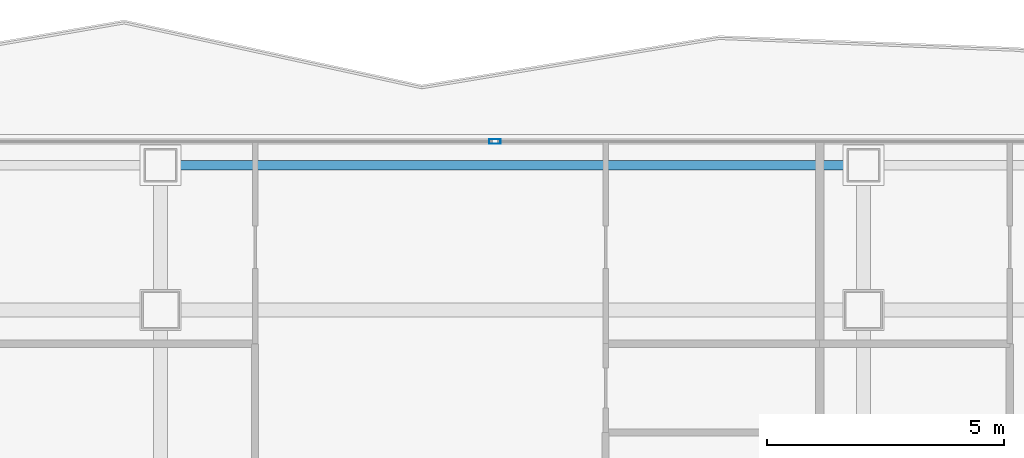
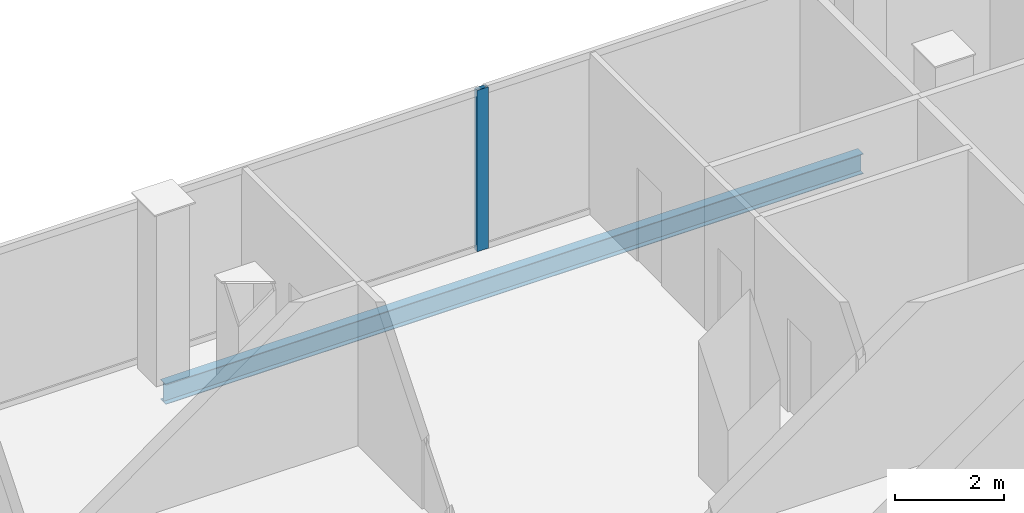
# One storey, part 14 of 26: 1 beam, 1 member, 1 element without a shape of its own.
"""IFC4 building model written with IfcOpenShell, lengths in metres."""

from ifc_helpers import new_model, si_unit, direction, frame, origin, origin_2d, place, context, subcontext, project, spatial, hollow_rectangle, i_section, extrude, material, layer, layer_set, material_profile, profile_set, type_object, element, aggregate, save


model = new_model("IFC4")

# Units and contexts
model_context = context("Model", 3, precision=1e-05, world=origin(), true_north=direction((0.0, 1.0)))
body_context = subcontext(model_context, "Body", "Model", "MODEL_VIEW")
ifc_project = project(units=[si_unit("LENGTHUNIT", "METRE"), si_unit("AREAUNIT", "SQUARE_METRE"), si_unit("VOLUMEUNIT", "CUBIC_METRE"), si_unit("PLANEANGLEUNIT", "RADIAN"), si_unit("MASSUNIT", "GRAM", prefix="KILO")], contexts=[model_context])

# Site, building, storey
site_placement = place(None, origin())
site = spatial("IfcSite", under=ifc_project, at=site_placement, CompositionType="ELEMENT")
building_placement = place(site_placement, origin())
building = spatial("IfcBuilding", under=site, at=building_placement, Name="Khorvyn Point Tower", CompositionType="ELEMENT")
storey_placement = place(building_placement, frame((0.0, 0.0, 187.5)))
storey = spatial("IfcBuildingStorey", under=building, at=storey_placement, Name="L46", CompositionType="ELEMENT", Elevation=187.5)

# Curtain wall, member
ifc_material_1 = material(Name="Anodised aluminium 6063-T6 and laminated Low-E glass", Category="aluminium")
ifc_layer = layer(ifc_material_1, 0.18994140625)
ifc_layer_set = layer_set([ifc_layer], Name="Stick-Built Acoustic Curtain Wall CW-SYS-03")
curtain_wall_type = type_object("IfcCurtainWallType", Name="Stick-Built Acoustic Curtain Wall CW-SYS-03", PredefinedType="NOTDEFINED", material=ifc_layer_set)
curtain_wall_placement = place(storey_placement, origin())
curtain_wall = element("IfcCurtainWall", 1, at=curtain_wall_placement, inside=storey, type_object=curtain_wall_type, Name="Curtain Wall", PredefinedType="NOTDEFINED")
ifc_material_2 = material(Name="Anodised aluminium 6063-T6", Category="aluminium")
ifc_material_profile_1 = material_profile(ifc_material_2, hollow_rectangle(XDim=0.10009765625, YDim=0.239990234375, WallThickness=0.0048828125, at=origin_2d()))
ifc_profile_set_1 = profile_set([ifc_material_profile_1], Name="Anodised aluminium 6063-T6 ALU-MUL-100x240")
member_type = type_object("IfcMemberType", Name="Anodised Aluminium 6063-T6 Mullion ALU-MUL-100x240", PredefinedType="MULLION", material=ifc_profile_set_1)
member_placement = place(storey_placement, frame((-0.35888671875, 23.64990234375, 0.0), z_axis=(0.0, 0.0, 1.0), x_axis=(0.0, 1.0, 0.0)))
member = element("IfcMember", 2, at=member_placement, type_object=member_type, Name="Transom", PredefinedType="MULLION", context=body_context, shape_type="SweptSolid", body=[
    extrude(hollow_rectangle(XDim=0.10009765625, YDim=0.239990234375, WallThickness=0.0048828125, at=origin_2d()), origin(), (0.0, 0.0, 1.0), 3.6201171875),
])
aggregate(curtain_wall, [member])

# Beam
ifc_material_3 = material(Name="Steel S355", Category="steel")
ifc_material_profile_2 = material_profile(ifc_material_3, i_section(OverallWidth=0.199951171875, OverallDepth=0.449951171875, WebThickness=0.009033203125, FlangeThickness=0.013916015625, at=origin_2d()))
ifc_profile_set_2 = profile_set([ifc_material_profile_2], Name="Steel S355 H450x200x9x14")
beam_type = type_object("IfcBeamType", Name="Steel S355 Spandrel H450x200x9x14", PredefinedType="SPANDREL", material=ifc_profile_set_2)
beam_placement = place(storey_placement, frame((-7.39990234375, 23.14990234375, -0.445068359375), z_axis=(1.0, 0.0, 0.0), x_axis=(0.0, 1.0, 0.0)))
element("IfcBeam", 3, at=beam_placement, inside=storey, type_object=beam_type, Name="Beam", PredefinedType="SPANDREL", context=body_context, shape_type="SweptSolid", body=[
    extrude(i_section(OverallWidth=0.199951171875, OverallDepth=0.449951171875, WebThickness=0.009033203125, FlangeThickness=0.013916015625, at=origin_2d()), origin(), (0.0, 0.0, 1.0), 14.7998046875),
])

save(model, "model.ifc")
